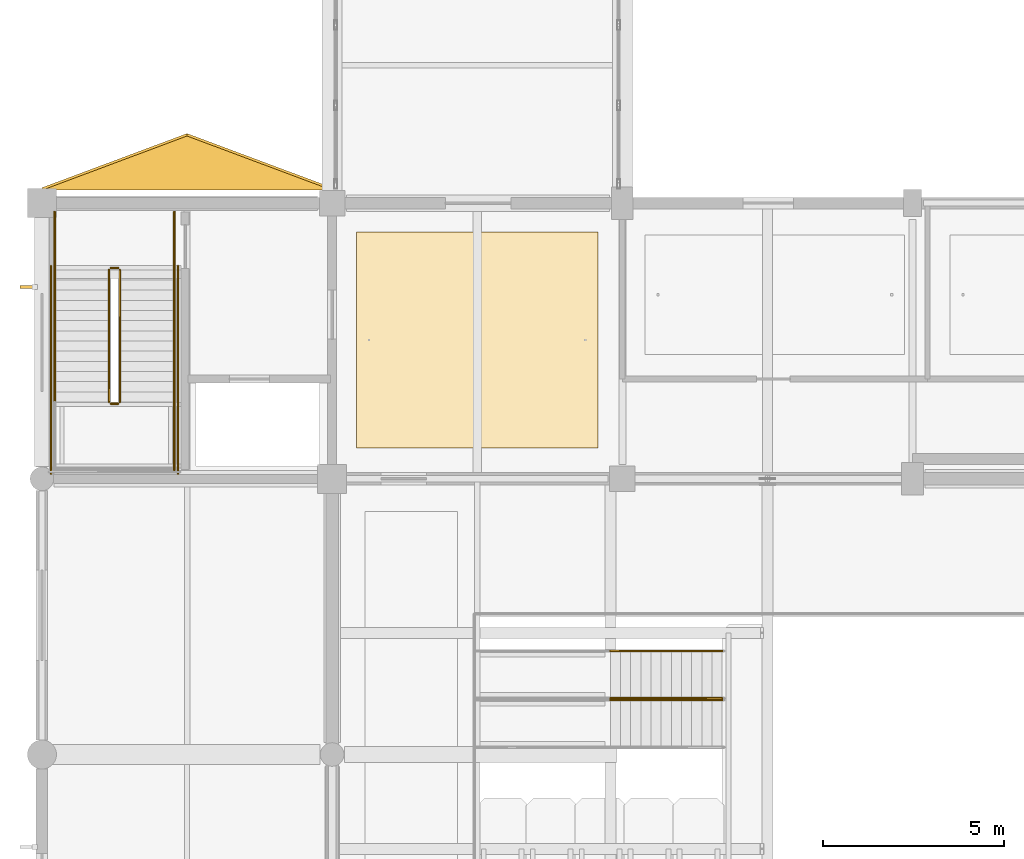
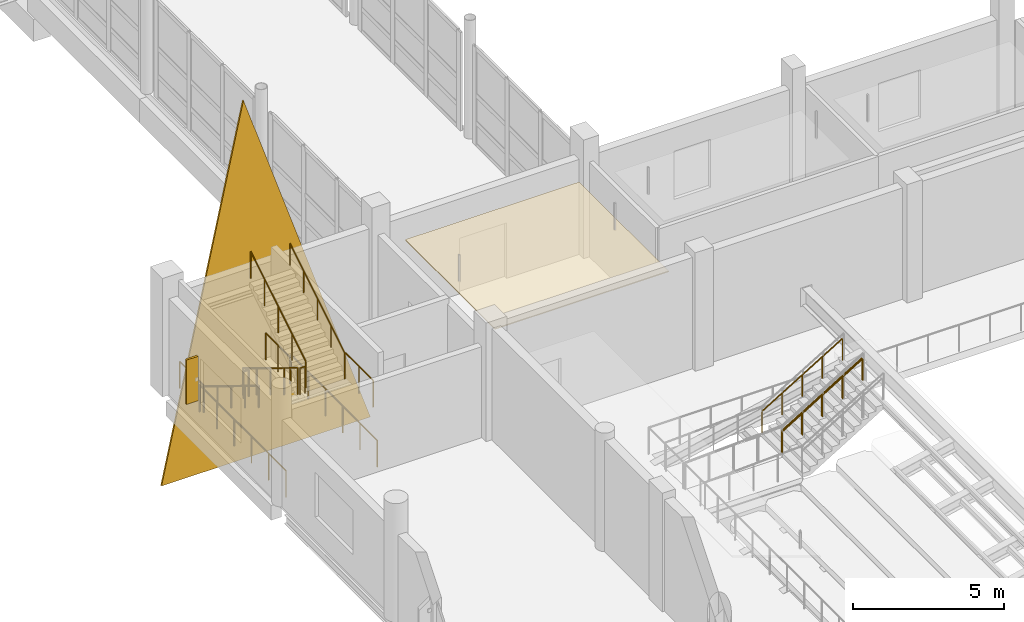
# One storey, part 131 of 147: 14 railings, 2 coverings, 1 shading device.
"""IFC4 building model written with IfcOpenShell, lengths in metres."""

from ifc_helpers import new_model, si_unit, direction, frame, origin, origin_2d, place, context, subcontext, project, spatial, polyline, rectangle, circle, outline, extrude, material, layer, layer_set, type_object, element, save


model = new_model("IFC4")

# Units and contexts
model_context = context("Model", 3, precision=1e-05, world=origin(), true_north=direction((0.0, 1.0)))
body_context = subcontext(model_context, "Body", "Model", "MODEL_VIEW")
ifc_project = project(units=[si_unit("LENGTHUNIT", "METRE"), si_unit("AREAUNIT", "SQUARE_METRE"), si_unit("VOLUMEUNIT", "CUBIC_METRE"), si_unit("PLANEANGLEUNIT", "RADIAN"), si_unit("MASSUNIT", "GRAM", prefix="KILO")], contexts=[model_context])

# Site, building, storey
site_placement = place(None, origin())
site = spatial("IfcSite", under=ifc_project, at=site_placement, CompositionType="ELEMENT")
building_placement = place(site_placement, origin())
building = spatial("IfcBuilding", under=site, at=building_placement, Name="Khelvaren Railside Concert Hall", CompositionType="ELEMENT")
storey_placement = place(building_placement, frame((0.0, 0.0, 5.39990234375)))
storey = spatial("IfcBuildingStorey", under=building, at=storey_placement, Name="L01", CompositionType="ELEMENT", Elevation=5.39990234375)

# Coverings
ifc_material_1 = material(Name="Board-marked precast concrete C45/55", Category="concrete")
ifc_layer_1 = layer(ifc_material_1, 0.070068359375)
ifc_layer_set_1 = layer_set([ifc_layer_1], Name="Board-marked precast concrete C45/55")
covering_type_1 = type_object("IfcCoveringType", Name="CLD68", PredefinedType="CLADDING", material=ifc_layer_set_1)
covering_1_placement = place(storey_placement, frame((0.0, 45.955078125, -4.199951171875), z_axis=(0.0, -0.99375392209, 0.111593648259), x_axis=(1.0, 0.0, 0.0)))
element("IfcCovering", 1, at=covering_1_placement, inside=storey, type_object=covering_type_1, Name="Main Hall Cut-Crystal Lower Facet N-1", PredefinedType="CLADDING", context=body_context, shape_type="SweptSolid", body=[
    extrude(outline(polyline([(0.0, 0.0), (8.0, 0.0), (4.0, 13.395682193393911), (0.0, 0.0)])), origin(), (0.0, 0.0, -1.0), 0.070068359375),
])
ifc_material_2 = material(Name="Mineral-wool acoustic baffle ceiling", Category="gypsum")
ifc_layer_2 = layer(ifc_material_2, 0.0400390625)
ifc_layer_set_2 = layer_set([ifc_layer_2], Name="Mineral-wool acoustic baffle ceiling")
covering_type_2 = type_object("IfcCoveringType", Name="CLG20", PredefinedType="CEILING", material=ifc_layer_set_2)
covering_2_placement = place(storey_placement, frame((0.0, 0.0, 3.41015625)))
element("IfcCovering", 2, at=covering_2_placement, inside=storey, type_object=covering_type_2, Name="Suspended Acoustic Ceiling V1 L01 North Bridge and Core Foyer", PredefinedType="CEILING", context=body_context, shape_type="SweptSolid", body=[
    extrude(outline(polyline([(8.669921875, 38.85009765625), (15.330078125, 38.85009765625), (15.330078125, 44.800048828125), (8.669921875, 44.800048828125), (8.669921875, 38.85009765625)])), origin(), (0.0, 0.0, 1.0), 0.0400390625),
])

# Railings
ifc_material_3 = material(Name="Painted architectural steel", Category="steel")
railing_type_1 = type_object("IfcRailingType", Name="GRD86", PredefinedType="GUARDRAIL", material=ifc_material_3)
railing_1_placement = place(storey_placement, frame((1.85009765625, 43.760009765625, 0.171630859375)))
element("IfcRailing", 3, at=railing_1_placement, inside=storey, type_object=railing_type_1, Name="L01 ST-11 stair guard 1", PredefinedType="GUARDRAIL", context=body_context, shape_type="SweptSolid", body=[
    extrude(circle(Radius=0.02392578125, at=origin_2d()), frame((0.0, 0.0, 1.076171875), z_axis=(0.0, -0.852850264322, 0.5221555579), x_axis=(1.0, 0.0, 0.0)), (0.0, 0.0, 1.0), 4.267822265625),
    extrude(circle(Radius=0.02099609375, at=origin_2d()), origin(), (0.0, 0.0, 1.0), 1.052001953125),
    extrude(circle(Radius=0.02099609375, at=origin_2d()), frame((0.0, -0.909912109375, 0.55712890625)), (0.0, 0.0, 1.0), 1.052001953125),
    extrude(circle(Radius=0.02099609375, at=origin_2d()), frame((0.0, -1.81982421875, 1.1142578125)), (0.0, 0.0, 1.0), 1.052001953125),
    extrude(circle(Radius=0.02099609375, at=origin_2d()), frame((0.0, -2.72998046875, 1.67138671875)), (0.0, 0.0, 1.0), 1.052001953125),
    extrude(circle(Radius=0.02099609375, at=origin_2d()), frame((0.0, -3.639892578125, 2.228515625)), (0.0, 0.0, 1.0), 1.052001953125),
])
railing_2_placement = place(storey_placement, frame((1.89990234375, 40.070068359375, 2.400146484375)))
element("IfcRailing", 4, at=railing_2_placement, inside=storey, type_object=railing_type_1, Name="L01 ST-11 stair guard 2", PredefinedType="GUARDRAIL", context=body_context, shape_type="SweptSolid", body=[
    extrude(circle(Radius=0.02392578125, at=origin_2d()), frame((0.0, 0.0, 1.076171875), z_axis=(1.0, 0.0, 0.0), x_axis=(0.0, 1.0, 0.0)), (0.0, 0.0, 1.0), 0.2001953125),
    extrude(circle(Radius=0.02099609375, at=origin_2d()), origin(), (0.0, 0.0, 1.0), 1.052001953125),
    extrude(circle(Radius=0.02099609375, at=origin_2d()), frame((0.2001953125, 0.0, 0.0)), (0.0, 0.0, 1.0), 1.052001953125),
])
railing_3_placement = place(storey_placement, frame((3.64990234375, 40.1201171875, 2.400146484375)))
element("IfcRailing", 5, at=railing_3_placement, inside=storey, type_object=railing_type_1, Name="L01 ST-11 stair guard 4", PredefinedType="GUARDRAIL", context=body_context, shape_type="SweptSolid", body=[
    extrude(circle(Radius=0.02392578125, at=origin_2d()), frame((0.0, 0.0, 1.076171875), z_axis=(0.0, -1.0, 0.0), x_axis=(1.0, 0.0, 0.0)), (0.0, 0.0, 1.0), 1.880126953125),
    extrude(circle(Radius=0.02099609375, at=origin_2d()), origin(), (0.0, 0.0, 1.0), 1.052001953125),
    extrude(circle(Radius=0.02099609375, at=origin_2d()), frame((0.0, -0.93994140625, 0.0)), (0.0, 0.0, 1.0), 1.052001953125),
    extrude(circle(Radius=0.02099609375, at=origin_2d()), frame((0.0, -1.880126953125, 0.0)), (0.0, 0.0, 1.0), 1.052001953125),
])
railing_4_placement = place(storey_placement, frame((2.14990234375, 40.1201171875, 2.571533203125)))
element("IfcRailing", 6, at=railing_4_placement, inside=storey, type_object=railing_type_1, Name="L01 ST-11 stair guard 6", PredefinedType="GUARDRAIL", context=body_context, shape_type="SweptSolid", body=[
    extrude(circle(Radius=0.02392578125, at=origin_2d()), frame((0.0, 0.0, 1.076171875), z_axis=(0.0, 0.852850264322, 0.5221555579), x_axis=(-1.0, 0.0, 0.0)), (0.0, 0.0, 1.0), 4.267822265625),
    extrude(circle(Radius=0.02099609375, at=origin_2d()), origin(), (0.0, 0.0, 1.0), 1.052001953125),
    extrude(circle(Radius=0.02099609375, at=origin_2d()), frame((0.0, 0.909912109375, 0.55712890625)), (0.0, 0.0, 1.0), 1.052001953125),
    extrude(circle(Radius=0.02099609375, at=origin_2d()), frame((0.0, 1.81982421875, 1.1142578125)), (0.0, 0.0, 1.0), 1.052001953125),
    extrude(circle(Radius=0.02099609375, at=origin_2d()), frame((0.0, 2.72998046875, 1.67138671875)), (0.0, 0.0, 1.0), 1.052001953125),
    extrude(circle(Radius=0.02099609375, at=origin_2d()), frame((0.0, 3.639892578125, 2.228515625)), (0.0, 0.0, 1.0), 1.052001953125),
])
railing_5_placement = place(storey_placement, frame((1.89990234375, 43.81005859375, 0.0)))
element("IfcRailing", 7, at=railing_5_placement, inside=storey, type_object=railing_type_1, Name="L01 ST-11 stair guard 7", PredefinedType="GUARDRAIL", context=body_context, shape_type="SweptSolid", body=[
    extrude(circle(Radius=0.02392578125, at=origin_2d()), frame((0.0, 0.0, 1.076171875), z_axis=(1.0, 0.0, 0.0), x_axis=(0.0, 1.0, 0.0)), (0.0, 0.0, 1.0), 0.2001953125),
    extrude(circle(Radius=0.02099609375, at=origin_2d()), origin(), (0.0, 0.0, 1.0), 1.052001953125),
    extrude(circle(Radius=0.02099609375, at=origin_2d()), frame((0.2001953125, 0.0, 0.0)), (0.0, 0.0, 1.0), 1.052001953125),
])
for number, where, name in (
    (8, (0.35009765625, 45.360107421875, 0.0), "L01 ST-11 stair guard 8"),
    (9, (3.64990234375, 45.360107421875, 0.0), "L01 ST-11 stair guard 9"),
):
    element("IfcRailing", number, at=place(storey_placement, frame(where)), inside=storey, type_object=railing_type_1, Name=name, PredefinedType="GUARDRAIL", context=body_context, shape_type="SweptSolid", body=[
        extrude(circle(Radius=0.02392578125, at=origin_2d()), frame((0.0, 0.0, 1.076171875), z_axis=(0.0, -1.0, 0.0), x_axis=(1.0, 0.0, 0.0)), (0.0, 0.0, 1.0), 1.60009765625),
        extrude(circle(Radius=0.02099609375, at=origin_2d()), origin(), (0.0, 0.0, 1.0), 1.052001953125),
        extrude(circle(Radius=0.02099609375, at=origin_2d()), frame((0.0, -0.800048828125, 0.0)), (0.0, 0.0, 1.0), 1.052001953125),
        extrude(circle(Radius=0.02099609375, at=origin_2d()), frame((0.0, -1.60009765625, 0.0)), (0.0, 0.0, 1.0), 1.052001953125),
    ])
for number, where, name in (
    (10, (0.25, 43.860107421875, 0.0), "L01 ST-11 stair guard 10"),
    (11, (3.75, 43.860107421875, 0.0), "L01 ST-11 stair guard 11"),
):
    element("IfcRailing", number, at=place(storey_placement, frame(where)), inside=storey, type_object=railing_type_1, Name=name, PredefinedType="GUARDRAIL", context=body_context, shape_type="SweptSolid", body=[
        extrude(circle(Radius=0.02392578125, at=origin_2d()), frame((0.0, 0.0, 1.076171875), z_axis=(0.0, -1.0, 0.0), x_axis=(1.0, 0.0, 0.0)), (0.0, 0.0, 1.0), 5.72021484375),
        extrude(circle(Radius=0.02099609375, at=origin_2d()), origin(), (0.0, 0.0, 1.0), 1.052001953125),
        extrude(circle(Radius=0.02099609375, at=origin_2d()), frame((0.0, -1.14404296875, 0.0)), (0.0, 0.0, 1.0), 1.052001953125),
        extrude(circle(Radius=0.02099609375, at=origin_2d()), frame((0.0, -2.2880859375, 0.0)), (0.0, 0.0, 1.0), 1.052001953125),
        extrude(circle(Radius=0.02099609375, at=origin_2d()), frame((0.0, -3.43212890625, 0.0)), (0.0, 0.0, 1.0), 1.052001953125),
        extrude(circle(Radius=0.02099609375, at=origin_2d()), frame((0.0, -4.576171875, 0.0)), (0.0, 0.0, 1.0), 1.052001953125),
        extrude(circle(Radius=0.02099609375, at=origin_2d()), frame((0.0, -5.72021484375, 0.0)), (0.0, 0.0, 1.0), 1.052001953125),
    ])
ifc_material_4 = material(Name="Brushed stainless steel Grade 316", Category="steel")
railing_type_2 = type_object("IfcRailingType", Name="HRL59", PredefinedType="HANDRAIL", material=ifc_material_4)
railing_6_placement = place(storey_placement, frame((0.35009765625, 43.760009765625, 0.171630859375)))
element("IfcRailing", 12, at=railing_6_placement, inside=storey, type_object=railing_type_2, Name="L01 ST-11 stair handrail 1", PredefinedType="HANDRAIL", context=body_context, shape_type="SweptSolid", body=[
    extrude(circle(Radius=0.02392578125, at=origin_2d()), frame((0.0, 0.0, 0.8759765625), z_axis=(0.0, -0.852850264322, 0.5221555579), x_axis=(1.0, 0.0, 0.0)), (0.0, 0.0, 1.0), 4.267822265625),
    extrude(circle(Radius=0.02099609375, at=origin_2d()), origin(), (0.0, 0.0, 1.0), 0.851806640625),
    extrude(circle(Radius=0.02099609375, at=origin_2d()), frame((0.0, -0.909912109375, 0.55712890625)), (0.0, 0.0, 1.0), 0.851806640625),
    extrude(circle(Radius=0.02099609375, at=origin_2d()), frame((0.0, -1.81982421875, 1.1142578125)), (0.0, 0.0, 1.0), 0.851806640625),
    extrude(circle(Radius=0.02099609375, at=origin_2d()), frame((0.0, -2.72998046875, 1.67138671875)), (0.0, 0.0, 1.0), 0.851806640625),
    extrude(circle(Radius=0.02099609375, at=origin_2d()), frame((0.0, -3.639892578125, 2.228515625)), (0.0, 0.0, 1.0), 0.851806640625),
])
railing_7_placement = place(storey_placement, frame((3.64990234375, 40.1201171875, 2.571533203125)))
element("IfcRailing", 13, at=railing_7_placement, inside=storey, type_object=railing_type_2, Name="L01 ST-11 stair handrail 2", PredefinedType="HANDRAIL", context=body_context, shape_type="SweptSolid", body=[
    extrude(circle(Radius=0.02392578125, at=origin_2d()), frame((0.0, 0.0, 0.8759765625), z_axis=(0.0, 0.852850264322, 0.5221555579), x_axis=(-1.0, 0.0, 0.0)), (0.0, 0.0, 1.0), 4.267822265625),
    extrude(circle(Radius=0.02099609375, at=origin_2d()), origin(), (0.0, 0.0, 1.0), 0.851806640625),
    extrude(circle(Radius=0.02099609375, at=origin_2d()), frame((0.0, 0.909912109375, 0.55712890625)), (0.0, 0.0, 1.0), 0.851806640625),
    extrude(circle(Radius=0.02099609375, at=origin_2d()), frame((0.0, 1.81982421875, 1.1142578125)), (0.0, 0.0, 1.0), 0.851806640625),
    extrude(circle(Radius=0.02099609375, at=origin_2d()), frame((0.0, 2.72998046875, 1.67138671875)), (0.0, 0.0, 1.0), 0.851806640625),
    extrude(circle(Radius=0.02099609375, at=origin_2d()), frame((0.0, 3.639892578125, 2.228515625)), (0.0, 0.0, 1.0), 0.851806640625),
])
for number, where, name in (
    (14, (15.669921875, 31.89990234375, 0.170166015625), "Vomitory Pitch Handrail ST-19-R"),
    (15, (15.669921875, 31.949951171875, 0.170166015625), "Vomitory Pitch Handrail ST-20-L"),
    (16, (15.669921875, 33.25, 0.170166015625), "Vomitory Pitch Handrail ST-20-R"),
):
    element("IfcRailing", number, at=place(storey_placement, frame(where)), inside=storey, type_object=railing_type_2, Name=name, PredefinedType="HANDRAIL", context=body_context, shape_type="SweptSolid", body=[
        extrude(circle(Radius=0.02392578125, at=origin_2d()), frame((0.0, 0.0, 0.8759765625), z_axis=(0.854808984221, 0.0, 0.518942771889), x_axis=(0.0, 1.0, 0.0)), (0.0, 0.0, 1.0), 3.603271484375),
        extrude(circle(Radius=0.02099609375, at=origin_2d()), origin(), (0.0, 0.0, 1.0), 0.851806640625),
        extrude(circle(Radius=0.02099609375, at=origin_2d()), frame((0.77001953125, 0.0, 0.467529296875)), (0.0, 0.0, 1.0), 0.851806640625),
        extrude(circle(Radius=0.02099609375, at=origin_2d()), frame((1.5400390625, 0.0, 0.93505859375)), (0.0, 0.0, 1.0), 0.851806640625),
        extrude(circle(Radius=0.02099609375, at=origin_2d()), frame((2.31005859375, 0.0, 1.40234375)), (0.0, 0.0, 1.0), 0.851806640625),
        extrude(circle(Radius=0.02099609375, at=origin_2d()), frame((3.080078125, 0.0, 1.869873046875)), (0.0, 0.0, 1.0), 0.851806640625),
    ])

# Shading device
ifc_material_5 = material(Name="Anodised bronze aluminium 6063-T6", Category="aluminium")
shading_device_type = type_object("IfcShadingDeviceType", Name="SFN18", PredefinedType="USERDEFINED", material=ifc_material_5)
shading_device_placement = place(storey_placement, frame((-0.3798828125, 43.29248046875, 0.9501953125), z_axis=(0.0, 0.0, 1.0), x_axis=(0.0, 1.0, 0.0)))
element("IfcShadingDevice", 17, at=shading_device_placement, inside=storey, type_object=shading_device_type, Name="Bronze Solar Shading Fin EW-V1-L01-W-38", ObjectType="SOLAR FIN", PredefinedType="USERDEFINED", context=body_context, shape_type="SweptSolid", body=[
    extrude(rectangle(XDim=0.080078125, YDim=0.449951171875, at=origin_2d()), origin(), (0.0, 0.0, 1.0), 1.800048828125),
])

save(model, "model.ifc")
